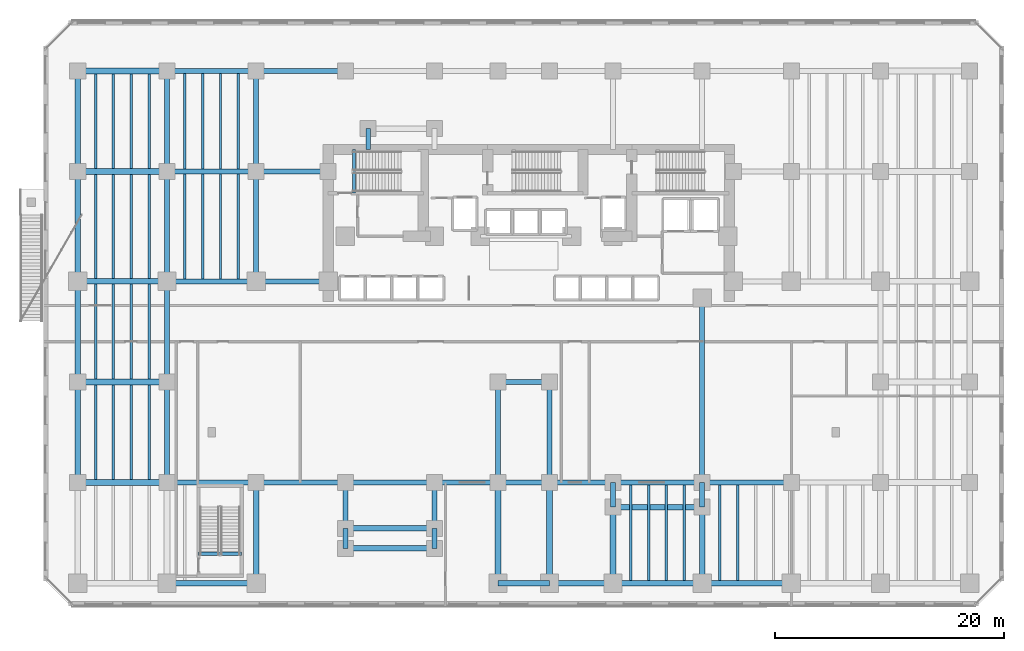
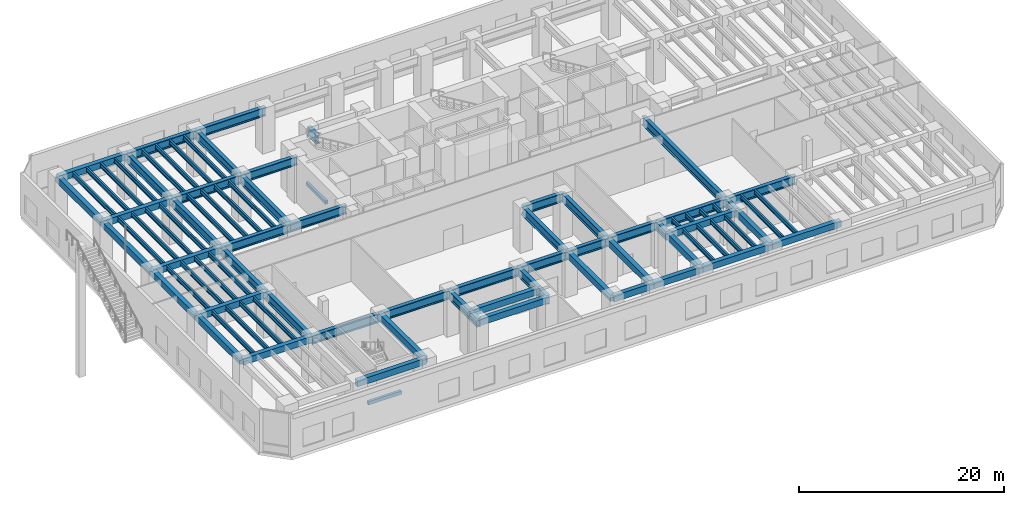
# One storey, part 3 of 21: 85 beams.
"""IFC4 building model written with IfcOpenShell, lengths in metres."""

import ifcopenshell
import ifcopenshell.guid

model = None  # the IFC model being written
_history = None  # IfcOwnerHistory: only IFC2X3 demands one
_inside = {}  # id of a spatial element -> (the spatial element, [elements in it])
_under = {}  # id of a project, library or spatial element -> (it, [spatial elements below it])
_declared = {}  # id of a project -> (the project, [libraries it declares])
_typed = {}  # id of a type object -> (the type object, [elements of that type])
_made_of = {}  # id of a material, layer set ... -> (it, [elements and type objects made of it])


def new_model(schema):
    """Start an empty IFC model of exactly this schema.

    Asked for "IFC4X3", IfcOpenShell would pick the latest addendum, in which some entities
    have other attributes; the version numbers below select the first issue.
    IFC2X3 requires an IfcOwnerHistory on every rooted entity: one is made here for all.
    """
    global model, _history
    if schema == "IFC4X3":
        model = ifcopenshell.file(schema_version=(4, 3, 0, 0))
    else:
        model = ifcopenshell.file(schema=schema)
    _inside.clear()
    _under.clear()
    _declared.clear()
    _typed.clear()
    _made_of.clear()
    _history = None
    if model.schema == "IFC2X3":
        org = make("IfcOrganization", Name="unknown")
        user = make(
            "IfcPersonAndOrganization",
            ThePerson=make("IfcPerson", FamilyName="unknown"),
            TheOrganization=org,
        )
        app = make(
            "IfcApplication",
            ApplicationDeveloper=org,
            Version="unknown",
            ApplicationFullName="unknown",
            ApplicationIdentifier="unknown",
        )
        _history = make(
            "IfcOwnerHistory",
            OwningUser=user,
            OwningApplication=app,
            ChangeAction="ADDED",
            CreationDate=0,
        )
    return model


def make(cls, **values):
    """One entity of the class cls with the attributes given. An attribute that is None is left unset."""
    return model.create_entity(
        cls, **{name: value for name, value in values.items() if value is not None}
    )


def rooted(cls, **values):
    """An entity with a GlobalId (a new one), such as an element, a storey or a relation."""
    return make(cls, GlobalId=ifcopenshell.guid.new(), OwnerHistory=_history, **values)


def si_unit(unit_type, name, prefix=None):
    """IfcSIUnit, for example si_unit("LENGTHUNIT", "METRE", prefix="MILLI")."""
    return make("IfcSIUnit", UnitType=unit_type, Prefix=prefix, Name=name)


def assignment(units):
    """IfcUnitAssignment: the units of a project."""
    return None if units is None else make("IfcUnitAssignment", Units=units)


def point(xyz):
    """IfcCartesianPoint."""
    return None if xyz is None else make("IfcCartesianPoint", Coordinates=xyz)


def direction(xyz):
    """IfcDirection."""
    return None if xyz is None else make("IfcDirection", DirectionRatios=xyz)


def frame(location, z_axis=None, x_axis=None):
    """IfcAxis2Placement3D, a coordinate frame: its origin and axes. An axis left out is left unset."""
    return make(
        "IfcAxis2Placement3D",
        Location=point(location),
        Axis=direction(z_axis),
        RefDirection=direction(x_axis),
    )


def frame_2d(location, x_axis=None):
    """IfcAxis2Placement2D, a coordinate frame in the plane: its origin and x axis."""
    return make(
        "IfcAxis2Placement2D", Location=point(location), RefDirection=direction(x_axis)
    )


def origin():
    """The frame at (0, 0, 0) with its axes left unset."""
    return frame((0.0, 0.0, 0.0))


def origin_2d():
    """The frame at (0, 0) in the plane with its x axis left unset."""
    return frame_2d((0.0, 0.0))


def place(relative_to, where):
    """IfcLocalPlacement: puts the frame where relative to a parent placement (None: the world)."""
    return make(
        "IfcLocalPlacement", PlacementRelTo=relative_to, RelativePlacement=where
    )


def context(
    kind, dimensions, precision=None, world=None, true_north=None, identifier=None
):
    """IfcGeometricRepresentationContext, for example the 3D "Model" context."""
    return make(
        "IfcGeometricRepresentationContext",
        ContextIdentifier=identifier,
        ContextType=kind,
        CoordinateSpaceDimension=dimensions,
        Precision=precision,
        WorldCoordinateSystem=world,
        TrueNorth=true_north,
    )


def subcontext(parent, identifier, kind, view, scale=None):
    """IfcGeometricRepresentationSubContext, for example "Body" below "Model"."""
    return make(
        "IfcGeometricRepresentationSubContext",
        ContextIdentifier=identifier,
        ContextType=kind,
        ParentContext=parent,
        TargetScale=scale,
        TargetView=view,
    )


def project(units=None, contexts=None):
    """IfcProject with its units and contexts."""
    return rooted(
        "IfcProject",
        Name="project",
        RepresentationContexts=contexts,
        UnitsInContext=assignment(units),
    )


def spatial(cls, under=None, at=None, **own):
    """A site, building, storey or space (cls), placed at a placement, below another one or the project."""
    s = rooted(cls, ObjectPlacement=at, **own)
    if under is not None:
        _under.setdefault(under.id(), (under, []))[1].append(s)
    return s


def profile(cls, at=None, kind="AREA", **sizes):
    """A parametric profile (cls). Its sizes go by their IFC names, for example OverallWidth=200.0."""
    return make(cls, ProfileType=kind, Position=at, **sizes)


def rectangle(**sizes):
    """IfcRectangleProfileDef."""
    return profile("IfcRectangleProfileDef", **sizes)


def i_section(**sizes):
    """IfcIShapeProfileDef."""
    return profile("IfcIShapeProfileDef", **sizes)


def extrude(swept, where, along, depth):
    """IfcExtrudedAreaSolid: the profile swept, set in the frame where, extruded along a direction by depth."""
    return make(
        "IfcExtrudedAreaSolid",
        SweptArea=swept,
        Position=where,
        ExtrudedDirection=direction(along),
        Depth=depth,
    )


def shape(context_of_items, identifier, shape_type, items):
    """IfcShapeRepresentation: the items that make up one representation, for example the "Body"."""
    return make(
        "IfcShapeRepresentation",
        ContextOfItems=context_of_items,
        RepresentationIdentifier=identifier,
        RepresentationType=shape_type,
        Items=items,
    )


def material(Name=None, Category=None):
    """IfcMaterial."""
    return make("IfcMaterial", Name=Name, Category=Category)


def material_profile(
    of_material, cross_section, Name=None, Category=None, Priority=None
):
    """IfcMaterialProfile: a cross section and its material."""
    return make(
        "IfcMaterialProfile",
        Name=Name,
        Material=of_material,
        Profile=cross_section,
        Priority=Priority,
        Category=Category,
    )


def profile_set(profiles, Name=None, composite=None):
    """IfcMaterialProfileSet."""
    return make(
        "IfcMaterialProfileSet",
        Name=Name,
        MaterialProfiles=profiles,
        CompositeProfile=composite,
    )


def made_of(thing, what):
    """Note that an element or type object is made of a material, layer set ...; save() writes the relation."""
    if what is not None:
        _made_of.setdefault(what.id(), (what, []))[1].append(thing)
    return thing


def type_object(cls, material=None, **own):
    """A type object (cls), such as IfcWallType, which elements share."""
    return made_of(rooted(cls, **own), material)


def element(
    cls,
    number,
    at=None,
    inside=None,
    cuts=None,
    type_object=None,
    material=None,
    context=None,
    identifier="Body",
    shape_type=None,
    held_by="IfcProductDefinitionShape",
    body=None,
    shapes=None,
    **own,
):
    """One element of the class cls, such as IfcWall. Its Tag is "e" and its number.

    at: its placement. inside: the storey or other place that contains it. cuts: it is an
    opening in that element (IfcRelVoidsElement). A single representation is given by context,
    identifier, shape_type and body (its items); several are given by shapes. held_by: the class
    of the entity that holds the representations. save() writes the other relations.
    """
    e = rooted(cls, Tag="e%d" % number, ObjectPlacement=at, **own)
    if body is not None:
        shapes = [shape(context, identifier, shape_type, body)]
    if shapes is not None:
        e.Representation = make(held_by, Representations=shapes)
    if inside is not None:
        _inside.setdefault(inside.id(), (inside, []))[1].append(e)
    if cuts is not None:
        rooted(
            "IfcRelVoidsElement", RelatingBuildingElement=cuts, RelatedOpeningElement=e
        )
    if type_object is not None:
        _typed.setdefault(type_object.id(), (type_object, []))[1].append(e)
    return made_of(e, material)


def aggregate(whole, parts):
    """IfcRelAggregates: a whole, such as a stair, and the parts it consists of."""
    return rooted("IfcRelAggregates", RelatingObject=whole, RelatedObjects=parts)


def save(model, path):
    """Write the relations noted so far, then the file.

    IfcRelAggregates (storeys below a building ...), IfcRelContainedInSpatialStructure (elements
    in a storey), IfcRelDefinesByType, IfcRelAssociatesMaterial and IfcRelDeclares: one each for
    every whole, place, type object, material and project.
    """
    for whole, parts in _under.values():
        aggregate(whole, parts)
    for where, things in _inside.values():
        rooted(
            "IfcRelContainedInSpatialStructure",
            RelatedElements=things,
            RelatingStructure=where,
        )
    for kind, things in _typed.values():
        rooted("IfcRelDefinesByType", RelatedObjects=things, RelatingType=kind)
    for what, things in _made_of.values():
        rooted("IfcRelAssociatesMaterial", RelatedObjects=things, RelatingMaterial=what)
    for by, libraries in _declared.values():
        rooted("IfcRelDeclares", RelatingContext=by, RelatedDefinitions=libraries)
    model.write(path)


model = new_model("IFC4")

# Units and contexts
model_context = context("Model", 3, precision=1e-05, world=origin(), true_north=direction((0.0, 1.0)))
body_context = subcontext(model_context, "Body", "Model", "MODEL_VIEW")
ifc_project = project(units=[si_unit("LENGTHUNIT", "METRE"), si_unit("AREAUNIT", "SQUARE_METRE"), si_unit("VOLUMEUNIT", "CUBIC_METRE"), si_unit("PLANEANGLEUNIT", "RADIAN"), si_unit("MASSUNIT", "GRAM", prefix="KILO")], contexts=[model_context])

# Site, building, storey
site_placement = place(None, origin())
site = spatial("IfcSite", under=ifc_project, at=site_placement, CompositionType="ELEMENT")
building_placement = place(site_placement, origin())
building = spatial("IfcBuilding", under=site, at=building_placement, Name="Kestravale Grand Hotel", CompositionType="ELEMENT")
storey_placement = place(building_placement, frame((0.0, 0.0, 10.39990234375)))
storey = spatial("IfcBuildingStorey", under=building, at=storey_placement, Name="L02", CompositionType="ELEMENT", Elevation=10.39990234375)

# Beams
ifc_material_1 = material(Name="Steel ASTM A992 Grade 50", Category="steel")
ifc_material_profile_1 = material_profile(ifc_material_1, i_section(OverallWidth=0.2099609375, OverallDepth=0.535888671875, WebThickness=0.010986328125, FlangeThickness=0.017333984375, FilletRadius=0.017578125, at=origin_2d()))
ifc_profile_set_1 = profile_set([ifc_material_profile_1], Name="Steel ASTM A992 Grade 50")
beam_type_1 = type_object("IfcBeamType", Name="B-FLR-JST21", PredefinedType="JOIST", material=ifc_profile_set_1)
for number, where, z_axis, x_axis, name in (
    (1, (1.56005859375, 11.449951171875, 4.83203125), (0.0, 1.0, 0.0), (-1.0, 0.0, 0.0), "L02 floor joist 1-2/C-D #1"),
    (2, (3.1201171875, 11.449951171875, 4.83203125), (0.0, 1.0, 0.0), (-1.0, 0.0, 0.0), "L02 floor joist 1-2/C-D #2"),
    (3, (4.679931640625, 11.449951171875, 4.83203125), (0.0, 1.0, 0.0), (-1.0, 0.0, 0.0), "L02 floor joist 1-2/C-D #3"),
    (4, (6.239990234375, 11.449951171875, 4.83203125), (0.0, 1.0, 0.0), (-1.0, 0.0, 0.0), "L02 floor joist 1-2/C-D #4"),
    (5, (1.56005859375, 20.25, 4.83203125), (0.0, 1.0, 0.0), (-1.0, 0.0, 0.0), "L02 floor joist 1-2/D-E #1"),
    (6, (3.1201171875, 20.25, 4.83203125), (0.0, 1.0, 0.0), (-1.0, 0.0, 0.0), "L02 floor joist 1-2/D-E #2"),
    (7, (4.679931640625, 20.25, 4.83203125), (0.0, 1.0, 0.0), (-1.0, 0.0, 0.0), "L02 floor joist 1-2/D-E #3"),
    (8, (6.239990234375, 20.25, 4.83203125), (0.0, 1.0, 0.0), (-1.0, 0.0, 0.0), "L02 floor joist 1-2/D-E #4"),
):
    element("IfcBeam", number, at=place(storey_placement, frame(where, z_axis=z_axis, x_axis=x_axis)), inside=storey, type_object=beam_type_1, Name=name, PredefinedType="JOIST", context=body_context, shape_type="SweptSolid", body=[
        extrude(i_section(OverallWidth=0.2099609375, OverallDepth=0.535888671875, WebThickness=0.010986328125, FlangeThickness=0.017333984375, FilletRadius=0.017578125, at=origin_2d()), origin(), (0.0, 0.0, 1.0), 8.300048828125),
    ])
for number, where, z_axis, x_axis, name in (
    (9, (1.56005859375, 29.050048828125, 4.83203125), (0.0, 1.0, 0.0), (-1.0, 0.0, 0.0), "L02 floor joist 1-2/E-F #1"),
    (10, (3.1201171875, 29.050048828125, 4.83203125), (0.0, 1.0, 0.0), (-1.0, 0.0, 0.0), "L02 floor joist 1-2/E-F #2"),
    (11, (4.679931640625, 29.050048828125, 4.83203125), (0.0, 1.0, 0.0), (-1.0, 0.0, 0.0), "L02 floor joist 1-2/E-F #3"),
    (12, (6.239990234375, 29.050048828125, 4.83203125), (0.0, 1.0, 0.0), (-1.0, 0.0, 0.0), "L02 floor joist 1-2/E-F #4"),
):
    element("IfcBeam", number, at=place(storey_placement, frame(where, z_axis=z_axis, x_axis=x_axis)), inside=storey, type_object=beam_type_1, Name=name, PredefinedType="JOIST", context=body_context, shape_type="SweptSolid", body=[
        extrude(i_section(OverallWidth=0.2099609375, OverallDepth=0.535888671875, WebThickness=0.010986328125, FlangeThickness=0.017333984375, FilletRadius=0.017578125, at=origin_2d()), origin(), (0.0, 0.0, 1.0), 9.099853515625),
    ])
for number, where, z_axis, x_axis, name in (
    (13, (1.56005859375, 38.64990234375, 4.83203125), (0.0, 1.0, 0.0), (-1.0, 0.0, 0.0), "L02 floor joist 1-2/F-G #1"),
    (14, (3.1201171875, 38.64990234375, 4.83203125), (0.0, 1.0, 0.0), (-1.0, 0.0, 0.0), "L02 floor joist 1-2/F-G #2"),
    (15, (4.679931640625, 38.64990234375, 4.83203125), (0.0, 1.0, 0.0), (-1.0, 0.0, 0.0), "L02 floor joist 1-2/F-G #3"),
    (16, (6.239990234375, 38.64990234375, 4.83203125), (0.0, 1.0, 0.0), (-1.0, 0.0, 0.0), "L02 floor joist 1-2/F-G #4"),
):
    element("IfcBeam", number, at=place(storey_placement, frame(where, z_axis=z_axis, x_axis=x_axis)), inside=storey, type_object=beam_type_1, Name=name, PredefinedType="JOIST", context=body_context, shape_type="SweptSolid", body=[
        extrude(i_section(OverallWidth=0.2099609375, OverallDepth=0.535888671875, WebThickness=0.010986328125, FlangeThickness=0.017333984375, FilletRadius=0.017578125, at=origin_2d()), origin(), (0.0, 0.0, 1.0), 8.300048828125),
    ])
for number, where, z_axis, x_axis, name in (
    (17, (9.360107421875, 29.013427734375, 4.83203125), (0.0, 1.0, 0.0), (-1.0, 0.0, 0.0), "L02 floor joist 2-3/E-F #1"),
    (18, (10.919921875, 29.013427734375, 4.83203125), (0.0, 1.0, 0.0), (-1.0, 0.0, 0.0), "L02 floor joist 2-3/E-F #2"),
    (19, (12.47998046875, 29.013427734375, 4.83203125), (0.0, 1.0, 0.0), (-1.0, 0.0, 0.0), "L02 floor joist 2-3/E-F #3"),
    (20, (14.0400390625, 29.013427734375, 4.83203125), (0.0, 1.0, 0.0), (-1.0, 0.0, 0.0), "L02 floor joist 2-3/E-F #4"),
):
    element("IfcBeam", number, at=place(storey_placement, frame(where, z_axis=z_axis, x_axis=x_axis)), inside=storey, type_object=beam_type_1, Name=name, PredefinedType="JOIST", context=body_context, shape_type="SweptSolid", body=[
        extrude(i_section(OverallWidth=0.2099609375, OverallDepth=0.535888671875, WebThickness=0.010986328125, FlangeThickness=0.017333984375, FilletRadius=0.017578125, at=origin_2d()), origin(), (0.0, 0.0, 1.0), 9.173095703125),
    ])
for number, where, z_axis, x_axis, name in (
    (21, (9.360107421875, 38.613525390625, 4.83203125), (0.0, 1.0, 0.0), (-1.0, 0.0, 0.0), "L02 floor joist 2-3/F-G #1"),
    (22, (10.919921875, 38.613525390625, 4.83203125), (0.0, 1.0, 0.0), (-1.0, 0.0, 0.0), "L02 floor joist 2-3/F-G #2"),
    (23, (12.47998046875, 38.613525390625, 4.83203125), (0.0, 1.0, 0.0), (-1.0, 0.0, 0.0), "L02 floor joist 2-3/F-G #3"),
    (24, (14.0400390625, 38.613525390625, 4.83203125), (0.0, 1.0, 0.0), (-1.0, 0.0, 0.0), "L02 floor joist 2-3/F-G #4"),
):
    element("IfcBeam", number, at=place(storey_placement, frame(where, z_axis=z_axis, x_axis=x_axis)), inside=storey, type_object=beam_type_1, Name=name, PredefinedType="JOIST", context=body_context, shape_type="SweptSolid", body=[
        extrude(i_section(OverallWidth=0.2099609375, OverallDepth=0.535888671875, WebThickness=0.010986328125, FlangeThickness=0.017333984375, FilletRadius=0.017578125, at=origin_2d()), origin(), (0.0, 0.0, 1.0), 8.373046875),
    ])
for number, where, z_axis, x_axis, name in (
    (25, (48.360107421875, 2.64990234375, 4.83203125), (0.0, 1.0, 0.0), (-1.0, 0.0, 0.0), "L02 floor joist 8-9/B-C #1"),
    (26, (49.919921875, 2.64990234375, 4.83203125), (0.0, 1.0, 0.0), (-1.0, 0.0, 0.0), "L02 floor joist 8-9/B-C #2"),
    (27, (51.47998046875, 2.64990234375, 4.83203125), (0.0, 1.0, 0.0), (-1.0, 0.0, 0.0), "L02 floor joist 8-9/B-C #3"),
    (28, (53.0400390625, 2.64990234375, 4.83203125), (0.0, 1.0, 0.0), (-1.0, 0.0, 0.0), "L02 floor joist 8-9/B-C #4"),
    (29, (56.159912109375, 2.64990234375, 4.83203125), (0.0, 1.0, 0.0), (-1.0, 0.0, 0.0), "L02 floor joist 9-10/B-C #1"),
    (30, (57.719970703125, 2.64990234375, 4.83203125), (0.0, 1.0, 0.0), (-1.0, 0.0, 0.0), "L02 floor joist 9-10/B-C #2"),
):
    element("IfcBeam", number, at=place(storey_placement, frame(where, z_axis=z_axis, x_axis=x_axis)), inside=storey, type_object=beam_type_1, Name=name, PredefinedType="JOIST", context=body_context, shape_type="SweptSolid", body=[
        extrude(i_section(OverallWidth=0.2099609375, OverallDepth=0.535888671875, WebThickness=0.010986328125, FlangeThickness=0.017333984375, FilletRadius=0.017578125, at=origin_2d()), origin(), (0.0, 0.0, 1.0), 8.336669921875),
    ])
ifc_material_2 = material(Name="Concrete f'c 45 MPa", Category="concrete")
ifc_material_profile_2 = material_profile(ifc_material_2, rectangle(XDim=0.300048828125, YDim=0.39990234375, at=origin_2d()))
ifc_profile_set_2 = profile_set([ifc_material_profile_2], Name="Concrete f'c 45 MPa")
beam_type_2 = type_object("IfcBeamType", Name="B-FLR-LNT400", PredefinedType="LINTEL", material=ifc_profile_set_2)
beam_1_placement = place(storey_placement, frame((24.159912109375, 36.52001953125, -0.199951171875), z_axis=(0.0, 1.0, 0.0), x_axis=(-1.0, 0.0, 0.0)))
element("IfcBeam", 31, at=beam_1_placement, inside=storey, type_object=beam_type_2, Name="L02 ST1 flight bottom header beam", PredefinedType="LINTEL", context=body_context, shape_type="SweptSolid", body=[
    extrude(rectangle(XDim=0.300048828125, YDim=0.39990234375, at=origin_2d()), origin(), (0.0, 0.0, 1.0), 3.800048828125),
])
beam_2_placement = place(storey_placement, frame((10.56005859375, 4.9599609375, -0.199951171875), z_axis=(1.0, 0.0, 0.0), x_axis=(0.0, 1.0, 0.0)))
element("IfcBeam", 32, at=beam_2_placement, inside=storey, type_object=beam_type_2, Name="L02 ST4 flight bottom header beam", PredefinedType="LINTEL", context=body_context, shape_type="SweptSolid", body=[
    extrude(rectangle(XDim=0.300048828125, YDim=0.39990234375, at=origin_2d()), origin(), (0.0, 0.0, 1.0), 3.77001953125),
])
ifc_material_3 = material(Name="Concrete f'c 45 MPa", Category="concrete")
ifc_material_profile_3 = material_profile(ifc_material_3, rectangle(XDim=0.5, YDim=0.75, at=origin_2d()))
ifc_profile_set_3 = profile_set([ifc_material_profile_3], Name="Concrete f'c 45 MPa")
beam_type_3 = type_object("IfcBeamType", Name="B-FLR-RC750", PredefinedType="SPANDREL", material=ifc_profile_set_3)
beam_3_placement = place(storey_placement, frame((7.800048828125, 2.39990234375, 4.72509765625), z_axis=(1.0, 0.0, 0.0), x_axis=(0.0, 1.0, 0.0)))
element("IfcBeam", 33, at=beam_3_placement, inside=storey, type_object=beam_type_3, Name="L02 spandrel B:2-3", PredefinedType="SPANDREL", context=body_context, shape_type="SweptSolid", body=[
    extrude(rectangle(XDim=0.5, YDim=0.75, at=origin_2d()), origin(), (0.0, 0.0, 1.0), 7.800048828125),
])
beam_4_placement = place(storey_placement, frame((36.75, 2.39990234375, 4.72509765625), z_axis=(1.0, 0.0, 0.0), x_axis=(0.0, 1.0, 0.0)))
element("IfcBeam", 34, at=beam_4_placement, inside=storey, type_object=beam_type_3, Name="L02 spandrel B:6-7", PredefinedType="SPANDREL", context=body_context, shape_type="SweptSolid", body=[
    extrude(rectangle(XDim=0.5, YDim=0.75, at=origin_2d()), origin(), (0.0, 0.0, 1.0), 4.5),
])
beam_5_placement = place(storey_placement, frame((41.25, 2.39990234375, 4.72509765625), z_axis=(1.0, 0.0, 0.0), x_axis=(0.0, 1.0, 0.0)))
element("IfcBeam", 35, at=beam_5_placement, inside=storey, type_object=beam_type_3, Name="L02 spandrel B:7-8", PredefinedType="SPANDREL", context=body_context, shape_type="SweptSolid", body=[
    extrude(rectangle(XDim=0.5, YDim=0.75, at=origin_2d()), origin(), (0.0, 0.0, 1.0), 5.550048828125),
])
beam_6_placement = place(storey_placement, frame((46.800048828125, 2.39990234375, 4.72509765625), z_axis=(1.0, 0.0, 0.0), x_axis=(0.0, 1.0, 0.0)))
element("IfcBeam", 36, at=beam_6_placement, inside=storey, type_object=beam_type_3, Name="L02 spandrel B:8-9", PredefinedType="SPANDREL", context=body_context, shape_type="SweptSolid", body=[
    extrude(rectangle(XDim=0.5, YDim=0.75, at=origin_2d()), origin(), (0.0, 0.0, 1.0), 7.800048828125),
])
beam_7_placement = place(storey_placement, frame((54.60009765625, 2.39990234375, 4.72509765625), z_axis=(1.0, 0.0, 0.0), x_axis=(0.0, 1.0, 0.0)))
element("IfcBeam", 37, at=beam_7_placement, inside=storey, type_object=beam_type_3, Name="L02 spandrel B:9-10", PredefinedType="SPANDREL", context=body_context, shape_type="SweptSolid", body=[
    extrude(rectangle(XDim=0.5, YDim=0.75, at=origin_2d()), origin(), (0.0, 0.0, 1.0), 7.7998046875),
])
for number, where, z_axis, x_axis, name in (
    (38, (0.0, 11.199951171875, 4.72509765625), (1.0, 0.0, 0.0), (0.0, 1.0, 0.0), "L02 spandrel C:1-2"),
    (39, (0.0, 20.0, 4.72509765625), (1.0, 0.0, 0.0), (0.0, 1.0, 0.0), "L02 spandrel D:1-2"),
    (40, (0.0, 28.800048828125, 4.72509765625), (1.0, 0.0, 0.0), (0.0, 1.0, 0.0), "L02 spandrel E:1-2"),
    (41, (0.0, 38.39990234375, 4.72509765625), (1.0, 0.0, 0.0), (0.0, 1.0, 0.0), "L02 spandrel F:1-2"),
    (42, (0.0, 47.199951171875, 4.72509765625), (1.0, 0.0, 0.0), (0.0, 1.0, 0.0), "L02 spandrel G:1-2"),
    (43, (23.39990234375, 5.449951171875, 4.72509765625), (1.0, 0.0, 0.0), (0.0, 1.0, 0.0), "L02 perimeter tie spandrel B1S:4-5"),
    (44, (46.800048828125, 9.050048828125, 4.72509765625), (1.0, 0.0, 0.0), (0.0, 1.0, 0.0), "L02 perimeter tie spandrel B1E:8-9"),
    (45, (23.39990234375, 7.199951171875, 4.72509765625), (1.0, 0.0, 0.0), (0.0, 1.0, 0.0), "L02 perimeter tie spandrel BS:4-5"),
):
    element("IfcBeam", number, at=place(storey_placement, frame(where, z_axis=z_axis, x_axis=x_axis)), inside=storey, type_object=beam_type_3, Name=name, PredefinedType="SPANDREL", context=body_context, shape_type="SweptSolid", body=[
        extrude(rectangle(XDim=0.5, YDim=0.75, at=origin_2d()), origin(), (0.0, 0.0, 1.0), 7.800048828125),
    ])
for number, where, z_axis, x_axis, name in (
    (46, (0.0, 11.199951171875, 4.72509765625), (0.0, 1.0, 0.0), (-1.0, 0.0, 0.0), "L02 spandrel 1:C-D"),
    (47, (0.0, 20.0, 4.72509765625), (0.0, 1.0, 0.0), (-1.0, 0.0, 0.0), "L02 spandrel 1:D-E"),
):
    element("IfcBeam", number, at=place(storey_placement, frame(where, z_axis=z_axis, x_axis=x_axis)), inside=storey, type_object=beam_type_3, Name=name, PredefinedType="SPANDREL", context=body_context, shape_type="SweptSolid", body=[
        extrude(rectangle(XDim=0.5, YDim=0.75, at=origin_2d()), origin(), (0.0, 0.0, 1.0), 8.800048828125),
    ])
beam_8_placement = place(storey_placement, frame((0.0, 28.800048828125, 4.72509765625), z_axis=(0.0, 1.0, 0.0), x_axis=(-1.0, 0.0, 0.0)))
element("IfcBeam", 48, at=beam_8_placement, inside=storey, type_object=beam_type_3, Name="L02 spandrel 1:E-F", PredefinedType="SPANDREL", context=body_context, shape_type="SweptSolid", body=[
    extrude(rectangle(XDim=0.5, YDim=0.75, at=origin_2d()), origin(), (0.0, 0.0, 1.0), 9.599853515625),
])
for number, where, z_axis, x_axis, name in (
    (49, (0.0, 38.39990234375, 4.72509765625), (0.0, 1.0, 0.0), (-1.0, 0.0, 0.0), "L02 spandrel 1:F-G"),
    (50, (15.60009765625, 2.39990234375, 4.72509765625), (0.0, 1.0, 0.0), (-1.0, 0.0, 0.0), "L02 spandrel 3:B-C"),
    (51, (36.75, 2.39990234375, 4.72509765625), (0.0, 1.0, 0.0), (-1.0, 0.0, 0.0), "L02 spandrel 6:B-C"),
    (52, (41.25, 2.39990234375, 4.72509765625), (0.0, 1.0, 0.0), (-1.0, 0.0, 0.0), "L02 spandrel 7:B-C"),
):
    element("IfcBeam", number, at=place(storey_placement, frame(where, z_axis=z_axis, x_axis=x_axis)), inside=storey, type_object=beam_type_3, Name=name, PredefinedType="SPANDREL", context=body_context, shape_type="SweptSolid", body=[
        extrude(rectangle(XDim=0.5, YDim=0.75, at=origin_2d()), origin(), (0.0, 0.0, 1.0), 8.800048828125),
    ])
for number, where, z_axis, x_axis, name in (
    (53, (46.800048828125, 2.39990234375, 4.72509765625), (0.0, 1.0, 0.0), (-1.0, 0.0, 0.0), "L02 spandrel 8:B-B1E"),
    (54, (54.60009765625, 2.39990234375, 4.72509765625), (0.0, 1.0, 0.0), (-1.0, 0.0, 0.0), "L02 spandrel 9:B-B1E"),
):
    element("IfcBeam", number, at=place(storey_placement, frame(where, z_axis=z_axis, x_axis=x_axis)), inside=storey, type_object=beam_type_3, Name=name, PredefinedType="SPANDREL", context=body_context, shape_type="SweptSolid", body=[
        extrude(rectangle(XDim=0.5, YDim=0.75, at=origin_2d()), origin(), (0.0, 0.0, 1.0), 6.650146484375),
    ])
ifc_material_4 = material(Name="Steel ASTM A992 Grade 50", Category="steel")
ifc_material_profile_4 = material_profile(ifc_material_4, i_section(OverallWidth=0.427001953125, OverallDepth=1.0400390625, WebThickness=0.031005859375, FlangeThickness=0.055908203125, FilletRadius=0.028076171875, at=origin_2d()))
ifc_profile_set_4 = profile_set([ifc_material_profile_4], Name="Steel ASTM A992 Grade 50")
beam_type_4 = type_object("IfcBeamType", Name="B-GRD-W40", PredefinedType="BEAM", material=ifc_profile_set_4)
beam_9_placement = place(storey_placement, frame((7.800048828125, 11.199951171875, 4.580078125), z_axis=(1.0, 0.0, 0.0), x_axis=(0.0, 1.0, 0.0)))
element("IfcBeam", 55, at=beam_9_placement, inside=storey, type_object=beam_type_4, Name="L02 girder C:2-3", PredefinedType="BEAM", context=body_context, shape_type="SweptSolid", body=[
    extrude(i_section(OverallWidth=0.427001953125, OverallDepth=1.0400390625, WebThickness=0.031005859375, FlangeThickness=0.055908203125, FilletRadius=0.028076171875, at=origin_2d()), origin(), (0.0, 0.0, 1.0), 7.800048828125),
])
beam_10_placement = place(storey_placement, frame((15.60009765625, 11.199951171875, 4.580078125), z_axis=(1.0, 0.0, 0.0), x_axis=(0.0, 1.0, 0.0)))
element("IfcBeam", 56, at=beam_10_placement, inside=storey, type_object=beam_type_4, Name="L02 girder C:3-4", PredefinedType="BEAM", context=body_context, shape_type="SweptSolid", body=[
    extrude(i_section(OverallWidth=0.427001953125, OverallDepth=1.0400390625, WebThickness=0.031005859375, FlangeThickness=0.055908203125, FilletRadius=0.028076171875, at=origin_2d()), origin(), (0.0, 0.0, 1.0), 7.7998046875),
])
beam_11_placement = place(storey_placement, frame((23.39990234375, 11.199951171875, 4.580078125), z_axis=(1.0, 0.0, 0.0), x_axis=(0.0, 1.0, 0.0)))
element("IfcBeam", 57, at=beam_11_placement, inside=storey, type_object=beam_type_4, Name="L02 girder C:4-5", PredefinedType="BEAM", context=body_context, shape_type="SweptSolid", body=[
    extrude(i_section(OverallWidth=0.427001953125, OverallDepth=1.0400390625, WebThickness=0.031005859375, FlangeThickness=0.055908203125, FilletRadius=0.028076171875, at=origin_2d()), origin(), (0.0, 0.0, 1.0), 7.800048828125),
])
beam_12_placement = place(storey_placement, frame((31.199951171875, 11.199951171875, 4.580078125), z_axis=(1.0, 0.0, 0.0), x_axis=(0.0, 1.0, 0.0)))
element("IfcBeam", 58, at=beam_12_placement, inside=storey, type_object=beam_type_4, Name="L02 girder C:5-6", PredefinedType="BEAM", context=body_context, shape_type="SweptSolid", body=[
    extrude(i_section(OverallWidth=0.427001953125, OverallDepth=1.0400390625, WebThickness=0.031005859375, FlangeThickness=0.055908203125, FilletRadius=0.028076171875, at=origin_2d()), origin(), (0.0, 0.0, 1.0), 5.550048828125),
])
beam_13_placement = place(storey_placement, frame((36.75, 11.199951171875, 4.580078125), z_axis=(1.0, 0.0, 0.0), x_axis=(0.0, 1.0, 0.0)))
element("IfcBeam", 59, at=beam_13_placement, inside=storey, type_object=beam_type_4, Name="L02 girder C:6-7", PredefinedType="BEAM", context=body_context, shape_type="SweptSolid", body=[
    extrude(i_section(OverallWidth=0.427001953125, OverallDepth=1.0400390625, WebThickness=0.031005859375, FlangeThickness=0.055908203125, FilletRadius=0.028076171875, at=origin_2d()), origin(), (0.0, 0.0, 1.0), 4.5),
])
beam_14_placement = place(storey_placement, frame((41.25, 11.199951171875, 4.580078125), z_axis=(1.0, 0.0, 0.0), x_axis=(0.0, 1.0, 0.0)))
element("IfcBeam", 60, at=beam_14_placement, inside=storey, type_object=beam_type_4, Name="L02 girder C:7-8", PredefinedType="BEAM", context=body_context, shape_type="SweptSolid", body=[
    extrude(i_section(OverallWidth=0.427001953125, OverallDepth=1.0400390625, WebThickness=0.031005859375, FlangeThickness=0.055908203125, FilletRadius=0.028076171875, at=origin_2d()), origin(), (0.0, 0.0, 1.0), 5.550048828125),
])
beam_15_placement = place(storey_placement, frame((46.800048828125, 11.199951171875, 4.580078125), z_axis=(1.0, 0.0, 0.0), x_axis=(0.0, 1.0, 0.0)))
element("IfcBeam", 61, at=beam_15_placement, inside=storey, type_object=beam_type_4, Name="L02 girder C:8-9", PredefinedType="BEAM", context=body_context, shape_type="SweptSolid", body=[
    extrude(i_section(OverallWidth=0.427001953125, OverallDepth=1.0400390625, WebThickness=0.031005859375, FlangeThickness=0.055908203125, FilletRadius=0.028076171875, at=origin_2d()), origin(), (0.0, 0.0, 1.0), 7.800048828125),
])
beam_16_placement = place(storey_placement, frame((54.60009765625, 11.199951171875, 4.580078125), z_axis=(1.0, 0.0, 0.0), x_axis=(0.0, 1.0, 0.0)))
element("IfcBeam", 62, at=beam_16_placement, inside=storey, type_object=beam_type_4, Name="L02 girder C:9-10", PredefinedType="BEAM", context=body_context, shape_type="SweptSolid", body=[
    extrude(i_section(OverallWidth=0.427001953125, OverallDepth=1.0400390625, WebThickness=0.031005859375, FlangeThickness=0.055908203125, FilletRadius=0.028076171875, at=origin_2d()), origin(), (0.0, 0.0, 1.0), 7.7998046875),
])
beam_17_placement = place(storey_placement, frame((36.75, 20.0, 4.580078125), z_axis=(1.0, 0.0, 0.0), x_axis=(0.0, 1.0, 0.0)))
element("IfcBeam", 63, at=beam_17_placement, inside=storey, type_object=beam_type_4, Name="L02 girder D:6-7", PredefinedType="BEAM", context=body_context, shape_type="SweptSolid", body=[
    extrude(i_section(OverallWidth=0.427001953125, OverallDepth=1.0400390625, WebThickness=0.031005859375, FlangeThickness=0.055908203125, FilletRadius=0.028076171875, at=origin_2d()), origin(), (0.0, 0.0, 1.0), 4.5),
])
beam_18_placement = place(storey_placement, frame((7.800048828125, 28.800048828125, 4.580078125), z_axis=(1.0, 0.0, 0.0), x_axis=(0.0, 1.0, 0.0)))
element("IfcBeam", 64, at=beam_18_placement, inside=storey, type_object=beam_type_4, Name="L02 girder E:2-3", PredefinedType="BEAM", context=body_context, shape_type="SweptSolid", body=[
    extrude(i_section(OverallWidth=0.427001953125, OverallDepth=1.0400390625, WebThickness=0.031005859375, FlangeThickness=0.055908203125, FilletRadius=0.028076171875, at=origin_2d()), origin(), (0.0, 0.0, 1.0), 7.800048828125),
])
beam_19_placement = place(storey_placement, frame((15.60009765625, 28.800048828125, 4.580078125), z_axis=(1.0, 0.0, 0.0), x_axis=(0.0, 1.0, 0.0)))
element("IfcBeam", 65, at=beam_19_placement, inside=storey, type_object=beam_type_4, Name="L02 girder E:3-CW", PredefinedType="BEAM", context=body_context, shape_type="SweptSolid", body=[
    extrude(i_section(OverallWidth=0.427001953125, OverallDepth=1.0400390625, WebThickness=0.031005859375, FlangeThickness=0.055908203125, FilletRadius=0.028076171875, at=origin_2d()), origin(), (0.0, 0.0, 1.0), 6.2998046875),
])
beam_20_placement = place(storey_placement, frame((7.800048828125, 38.39990234375, 4.580078125), z_axis=(1.0, 0.0, 0.0), x_axis=(0.0, 1.0, 0.0)))
element("IfcBeam", 66, at=beam_20_placement, inside=storey, type_object=beam_type_4, Name="L02 girder F:2-3", PredefinedType="BEAM", context=body_context, shape_type="SweptSolid", body=[
    extrude(i_section(OverallWidth=0.427001953125, OverallDepth=1.0400390625, WebThickness=0.031005859375, FlangeThickness=0.055908203125, FilletRadius=0.028076171875, at=origin_2d()), origin(), (0.0, 0.0, 1.0), 7.800048828125),
])
beam_21_placement = place(storey_placement, frame((15.60009765625, 38.39990234375, 4.580078125), z_axis=(1.0, 0.0, 0.0), x_axis=(0.0, 1.0, 0.0)))
element("IfcBeam", 67, at=beam_21_placement, inside=storey, type_object=beam_type_4, Name="L02 girder F:3-CW", PredefinedType="BEAM", context=body_context, shape_type="SweptSolid", body=[
    extrude(i_section(OverallWidth=0.427001953125, OverallDepth=1.0400390625, WebThickness=0.031005859375, FlangeThickness=0.055908203125, FilletRadius=0.028076171875, at=origin_2d()), origin(), (0.0, 0.0, 1.0), 6.2998046875),
])
beam_22_placement = place(storey_placement, frame((7.800048828125, 47.199951171875, 4.580078125), z_axis=(1.0, 0.0, 0.0), x_axis=(0.0, 1.0, 0.0)))
element("IfcBeam", 68, at=beam_22_placement, inside=storey, type_object=beam_type_4, Name="L02 girder G:2-3", PredefinedType="BEAM", context=body_context, shape_type="SweptSolid", body=[
    extrude(i_section(OverallWidth=0.427001953125, OverallDepth=1.0400390625, WebThickness=0.031005859375, FlangeThickness=0.055908203125, FilletRadius=0.028076171875, at=origin_2d()), origin(), (0.0, 0.0, 1.0), 7.800048828125),
])
beam_23_placement = place(storey_placement, frame((15.60009765625, 47.199951171875, 4.580078125), z_axis=(1.0, 0.0, 0.0), x_axis=(0.0, 1.0, 0.0)))
element("IfcBeam", 69, at=beam_23_placement, inside=storey, type_object=beam_type_4, Name="L02 girder G:3-4", PredefinedType="BEAM", context=body_context, shape_type="SweptSolid", body=[
    extrude(i_section(OverallWidth=0.427001953125, OverallDepth=1.0400390625, WebThickness=0.031005859375, FlangeThickness=0.055908203125, FilletRadius=0.028076171875, at=origin_2d()), origin(), (0.0, 0.0, 1.0), 7.7998046875),
])
for number, where, z_axis, x_axis, name in (
    (70, (7.800048828125, 11.199951171875, 4.580078125), (0.0, 1.0, 0.0), (-1.0, 0.0, 0.0), "L02 girder 2:C-D"),
    (71, (7.800048828125, 20.0, 4.580078125), (0.0, 1.0, 0.0), (-1.0, 0.0, 0.0), "L02 girder 2:D-E"),
):
    element("IfcBeam", number, at=place(storey_placement, frame(where, z_axis=z_axis, x_axis=x_axis)), inside=storey, type_object=beam_type_4, Name=name, PredefinedType="BEAM", context=body_context, shape_type="SweptSolid", body=[
        extrude(i_section(OverallWidth=0.427001953125, OverallDepth=1.0400390625, WebThickness=0.031005859375, FlangeThickness=0.055908203125, FilletRadius=0.028076171875, at=origin_2d()), origin(), (0.0, 0.0, 1.0), 8.800048828125),
    ])
beam_24_placement = place(storey_placement, frame((7.800048828125, 28.800048828125, 4.580078125), z_axis=(0.0, 1.0, 0.0), x_axis=(-1.0, 0.0, 0.0)))
element("IfcBeam", 72, at=beam_24_placement, inside=storey, type_object=beam_type_4, Name="L02 girder 2:E-F", PredefinedType="BEAM", context=body_context, shape_type="SweptSolid", body=[
    extrude(i_section(OverallWidth=0.427001953125, OverallDepth=1.0400390625, WebThickness=0.031005859375, FlangeThickness=0.055908203125, FilletRadius=0.028076171875, at=origin_2d()), origin(), (0.0, 0.0, 1.0), 9.599853515625),
])
beam_25_placement = place(storey_placement, frame((7.800048828125, 38.39990234375, 4.580078125), z_axis=(0.0, 1.0, 0.0), x_axis=(-1.0, 0.0, 0.0)))
element("IfcBeam", 73, at=beam_25_placement, inside=storey, type_object=beam_type_4, Name="L02 girder 2:F-G", PredefinedType="BEAM", context=body_context, shape_type="SweptSolid", body=[
    extrude(i_section(OverallWidth=0.427001953125, OverallDepth=1.0400390625, WebThickness=0.031005859375, FlangeThickness=0.055908203125, FilletRadius=0.028076171875, at=origin_2d()), origin(), (0.0, 0.0, 1.0), 8.800048828125),
])
beam_26_placement = place(storey_placement, frame((15.60009765625, 28.800048828125, 4.580078125), z_axis=(0.0, 1.0, 0.0), x_axis=(-1.0, 0.0, 0.0)))
element("IfcBeam", 74, at=beam_26_placement, inside=storey, type_object=beam_type_4, Name="L02 girder 3:E-F", PredefinedType="BEAM", context=body_context, shape_type="SweptSolid", body=[
    extrude(i_section(OverallWidth=0.427001953125, OverallDepth=1.0400390625, WebThickness=0.031005859375, FlangeThickness=0.055908203125, FilletRadius=0.028076171875, at=origin_2d()), origin(), (0.0, 0.0, 1.0), 9.599853515625),
])
beam_27_placement = place(storey_placement, frame((15.60009765625, 38.39990234375, 4.580078125), z_axis=(0.0, 1.0, 0.0), x_axis=(-1.0, 0.0, 0.0)))
element("IfcBeam", 75, at=beam_27_placement, inside=storey, type_object=beam_type_4, Name="L02 girder 3:F-G", PredefinedType="BEAM", context=body_context, shape_type="SweptSolid", body=[
    extrude(i_section(OverallWidth=0.427001953125, OverallDepth=1.0400390625, WebThickness=0.031005859375, FlangeThickness=0.055908203125, FilletRadius=0.028076171875, at=origin_2d()), origin(), (0.0, 0.0, 1.0), 8.800048828125),
])
beam_28_placement = place(storey_placement, frame((23.39990234375, 5.449951171875, 4.580078125), z_axis=(0.0, 1.0, 0.0), x_axis=(-1.0, 0.0, 0.0)))
element("IfcBeam", 76, at=beam_28_placement, inside=storey, type_object=beam_type_4, Name="L02 girder 4:B1S-BS", PredefinedType="BEAM", context=body_context, shape_type="SweptSolid", body=[
    extrude(i_section(OverallWidth=0.427001953125, OverallDepth=1.0400390625, WebThickness=0.031005859375, FlangeThickness=0.055908203125, FilletRadius=0.028076171875, at=origin_2d()), origin(), (0.0, 0.0, 1.0), 1.75),
])
beam_29_placement = place(storey_placement, frame((23.39990234375, 7.199951171875, 4.580078125), z_axis=(0.0, 1.0, 0.0), x_axis=(-1.0, 0.0, 0.0)))
element("IfcBeam", 77, at=beam_29_placement, inside=storey, type_object=beam_type_4, Name="L02 girder 4:BS-C", PredefinedType="BEAM", context=body_context, shape_type="SweptSolid", body=[
    extrude(i_section(OverallWidth=0.427001953125, OverallDepth=1.0400390625, WebThickness=0.031005859375, FlangeThickness=0.055908203125, FilletRadius=0.028076171875, at=origin_2d()), origin(), (0.0, 0.0, 1.0), 4.0),
])
beam_30_placement = place(storey_placement, frame((31.199951171875, 5.449951171875, 4.580078125), z_axis=(0.0, 1.0, 0.0), x_axis=(-1.0, 0.0, 0.0)))
element("IfcBeam", 78, at=beam_30_placement, inside=storey, type_object=beam_type_4, Name="L02 girder 5:B1S-BS", PredefinedType="BEAM", context=body_context, shape_type="SweptSolid", body=[
    extrude(i_section(OverallWidth=0.427001953125, OverallDepth=1.0400390625, WebThickness=0.031005859375, FlangeThickness=0.055908203125, FilletRadius=0.028076171875, at=origin_2d()), origin(), (0.0, 0.0, 1.0), 1.75),
])
beam_31_placement = place(storey_placement, frame((31.199951171875, 7.199951171875, 4.580078125), z_axis=(0.0, 1.0, 0.0), x_axis=(-1.0, 0.0, 0.0)))
element("IfcBeam", 79, at=beam_31_placement, inside=storey, type_object=beam_type_4, Name="L02 girder 5:BS-C", PredefinedType="BEAM", context=body_context, shape_type="SweptSolid", body=[
    extrude(i_section(OverallWidth=0.427001953125, OverallDepth=1.0400390625, WebThickness=0.031005859375, FlangeThickness=0.055908203125, FilletRadius=0.028076171875, at=origin_2d()), origin(), (0.0, 0.0, 1.0), 4.0),
])
for number, where, z_axis, x_axis, name in (
    (80, (36.75, 11.199951171875, 4.580078125), (0.0, 1.0, 0.0), (-1.0, 0.0, 0.0), "L02 girder 6:C-D"),
    (81, (41.25, 11.199951171875, 4.580078125), (0.0, 1.0, 0.0), (-1.0, 0.0, 0.0), "L02 girder 7:C-D"),
):
    element("IfcBeam", number, at=place(storey_placement, frame(where, z_axis=z_axis, x_axis=x_axis)), inside=storey, type_object=beam_type_4, Name=name, PredefinedType="BEAM", context=body_context, shape_type="SweptSolid", body=[
        extrude(i_section(OverallWidth=0.427001953125, OverallDepth=1.0400390625, WebThickness=0.031005859375, FlangeThickness=0.055908203125, FilletRadius=0.028076171875, at=origin_2d()), origin(), (0.0, 0.0, 1.0), 8.800048828125),
    ])
for number, where, z_axis, x_axis, name in (
    (82, (46.800048828125, 9.050048828125, 4.580078125), (0.0, 1.0, 0.0), (-1.0, 0.0, 0.0), "L02 girder 8:B1E-C"),
    (83, (54.60009765625, 9.050048828125, 4.580078125), (0.0, 1.0, 0.0), (-1.0, 0.0, 0.0), "L02 girder 9:B1E-C"),
):
    element("IfcBeam", number, at=place(storey_placement, frame(where, z_axis=z_axis, x_axis=x_axis)), inside=storey, type_object=beam_type_4, Name=name, PredefinedType="BEAM", context=body_context, shape_type="SweptSolid", body=[
        extrude(i_section(OverallWidth=0.427001953125, OverallDepth=1.0400390625, WebThickness=0.031005859375, FlangeThickness=0.055908203125, FilletRadius=0.028076171875, at=origin_2d()), origin(), (0.0, 0.0, 1.0), 2.14990234375),
    ])
beam_32_placement = place(storey_placement, frame((54.60009765625, 11.199951171875, 4.580078125), z_axis=(0.0, 1.0, 0.0), x_axis=(-1.0, 0.0, 0.0)))
element("IfcBeam", 84, at=beam_32_placement, inside=storey, type_object=beam_type_4, Name="L02 girder 9:C-CS", PredefinedType="BEAM", context=body_context, shape_type="SweptSolid", body=[
    extrude(i_section(OverallWidth=0.427001953125, OverallDepth=1.0400390625, WebThickness=0.031005859375, FlangeThickness=0.055908203125, FilletRadius=0.028076171875, at=origin_2d()), origin(), (0.0, 0.0, 1.0), 16.150146484375),
])
beam_33_placement = place(storey_placement, frame((25.39990234375, 40.320068359375, 4.580078125), z_axis=(0.0, 1.0, 0.0), x_axis=(-1.0, 0.0, 0.0)))
element("IfcBeam", 85, at=beam_33_placement, inside=storey, type_object=beam_type_4, Name="L02 north wing tie girder 4:CN-FN", PredefinedType="BEAM", context=body_context, shape_type="SweptSolid", body=[
    extrude(i_section(OverallWidth=0.427001953125, OverallDepth=1.0400390625, WebThickness=0.031005859375, FlangeThickness=0.055908203125, FilletRadius=0.028076171875, at=origin_2d()), origin(), (0.0, 0.0, 1.0), 1.829833984375),
])

save(model, "model.ifc")
